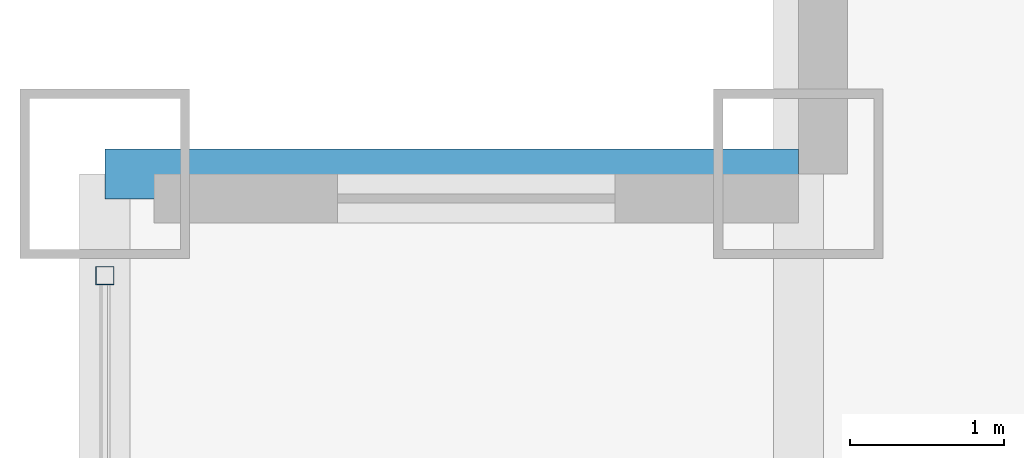
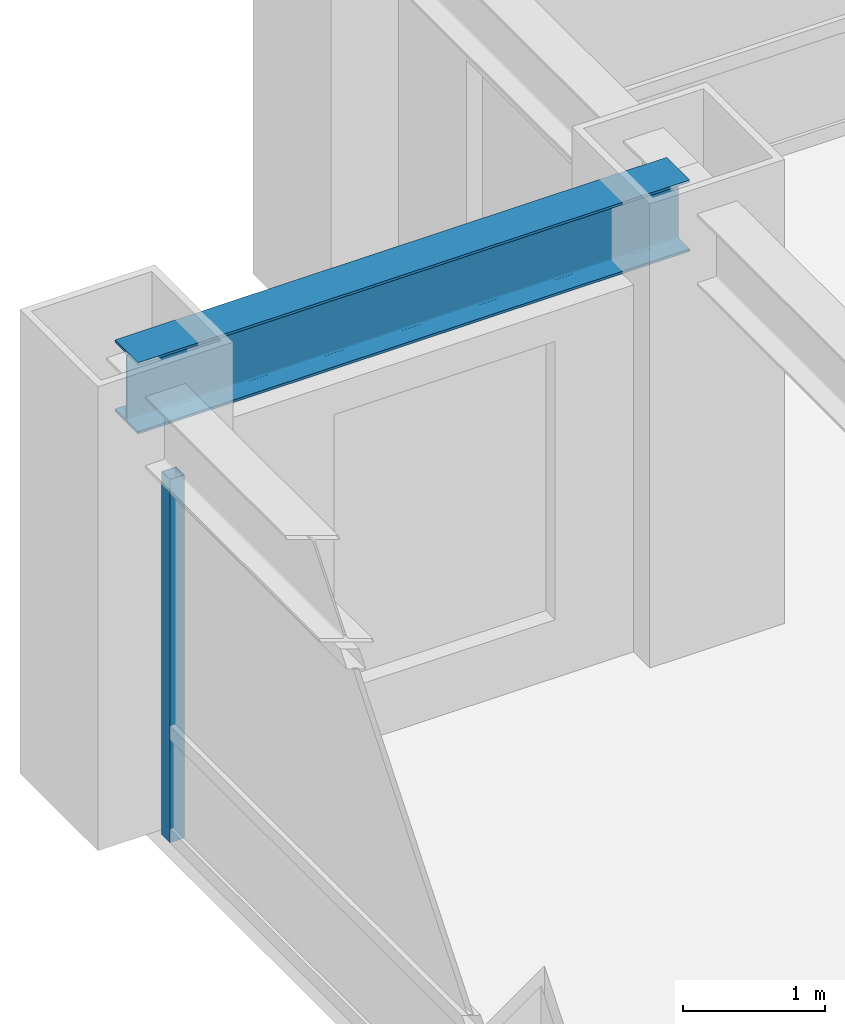
# One storey, part 12 of 28: 1 beam, 1 member, 1 element without a shape of its own.
"""IFC4 building model written with IfcOpenShell, lengths in metres."""

from ifc_helpers import new_model, si_unit, direction, frame, origin, origin_2d, place, context, subcontext, project, spatial, hollow_rectangle, i_section, extrude, source, transform, mapped, material, material_profile, profile_set, type_object, element, aggregate, save


model = new_model("IFC4")

# Units and contexts
model_context = context("Model", 3, precision=1e-05, world=origin(), true_north=direction((0.0, 1.0)))
body_context = subcontext(model_context, "Body", "Model", "MODEL_VIEW")
ifc_project = project(units=[si_unit("LENGTHUNIT", "METRE"), si_unit("AREAUNIT", "SQUARE_METRE"), si_unit("VOLUMEUNIT", "CUBIC_METRE"), si_unit("PLANEANGLEUNIT", "RADIAN"), si_unit("MASSUNIT", "GRAM", prefix="KILO")], contexts=[model_context])

# Site, building, storey
site_placement = place(None, origin())
site = spatial("IfcSite", under=ifc_project, at=site_placement, CompositionType="ELEMENT")
building_placement = place(site_placement, origin())
building = spatial("IfcBuilding", under=site, at=building_placement, Name="Khorayat Bourse Tower", CompositionType="ELEMENT")
storey_placement = place(building_placement, frame((0.0, 0.0, 191.10009765625)))
storey = spatial("IfcBuildingStorey", under=building, at=storey_placement, Name="L44", CompositionType="ELEMENT", Elevation=191.10009765625)

# Beam
ifc_material_1 = material(Name="Steel ASTM A992 Grade 50", Category="steel")
ifc_material_profile_1 = material_profile(ifc_material_1, i_section(OverallWidth=0.324951171875, OverallDepth=0.615966796875, WebThickness=0.013916015625, FlangeThickness=0.021484375, FilletRadius=0.01611328125, at=origin_2d()), Name="W610X174")
ifc_profile_set_1 = profile_set([ifc_material_profile_1], Name="Steel ASTM A992 Grade 50")
beam_type = type_object("IfcBeamType", Name="BM-SPAN-610", PredefinedType="SPANDREL", material=ifc_profile_set_1)
shared_shape_1 = source(origin(), body_context, "Body", "SweptSolid", [
    extrude(i_section(OverallWidth=0.324951171875, OverallDepth=0.615966796875, WebThickness=0.013916015625, FlangeThickness=0.021484375, FilletRadius=0.01611328125, at=origin_2d()), origin(), (0.0, 0.0, 1.0), 4.5),
])
beam_placement = place(storey_placement, frame((-30.0, 25.5, 3.471923828125), z_axis=(1.0, 0.0, 0.0), x_axis=(0.0, 1.0, 0.0)))
element("IfcBeam", 1, at=beam_placement, inside=storey, type_object=beam_type, Name="L44 BM-SPAN-610 BM-L44-SPN-053", PredefinedType="SPANDREL", context=body_context, shape_type="MappedRepresentation", body=[
    mapped(shared_shape_1, transform((0.0, 0.0, 0.0), scale=1.0)),
])

# Curtain wall, member
ifc_material_2 = material(Name="Aluminium EN AW-6063 T6", Category="aluminium")
curtain_wall_type = type_object("IfcCurtainWallType", Name="CW-SYS-03", PredefinedType="NOTDEFINED", material=ifc_material_2)
curtain_wall_placement = place(storey_placement, origin())
curtain_wall = element("IfcCurtainWall", 2, at=curtain_wall_placement, inside=storey, type_object=curtain_wall_type, Name="L44 Curtain Wall CW-L44-W1", PredefinedType="NOTDEFINED")
ifc_material_profile_2 = material_profile(ifc_material_2, hollow_rectangle(XDim=0.1201171875, YDim=0.1201171875, WallThickness=0.0048828125, at=origin_2d()), Name="ALU 120x120x5")
ifc_profile_set_2 = profile_set([ifc_material_profile_2], Name="Aluminium EN AW-6063 T6")
member_type = type_object("IfcMemberType", Name="CWM-VERT-120", PredefinedType="MULLION", material=ifc_profile_set_2)
shared_shape_2 = source(origin(), body_context, "Body", "SweptSolid", [
    extrude(hollow_rectangle(XDim=0.1201171875, YDim=0.1201171875, WallThickness=0.0048828125, at=origin_2d()), origin(), (0.0, 0.0, 1.0), 3.1298828125),
])
member_placement = place(storey_placement, frame((-30.0, 24.840087890625, 0.0), z_axis=(0.0, 0.0, 1.0), x_axis=(-1.0, 0.0, 0.0)))
member = element("IfcMember", 3, at=member_placement, type_object=member_type, Name="CW-L44-W1 Vertical Mullion 3", PredefinedType="MULLION", context=body_context, shape_type="MappedRepresentation", body=[
    mapped(shared_shape_2, transform((0.0, 0.0, 0.0), scale=1.0)),
])
aggregate(curtain_wall, [member])

save(model, "model.ifc")
